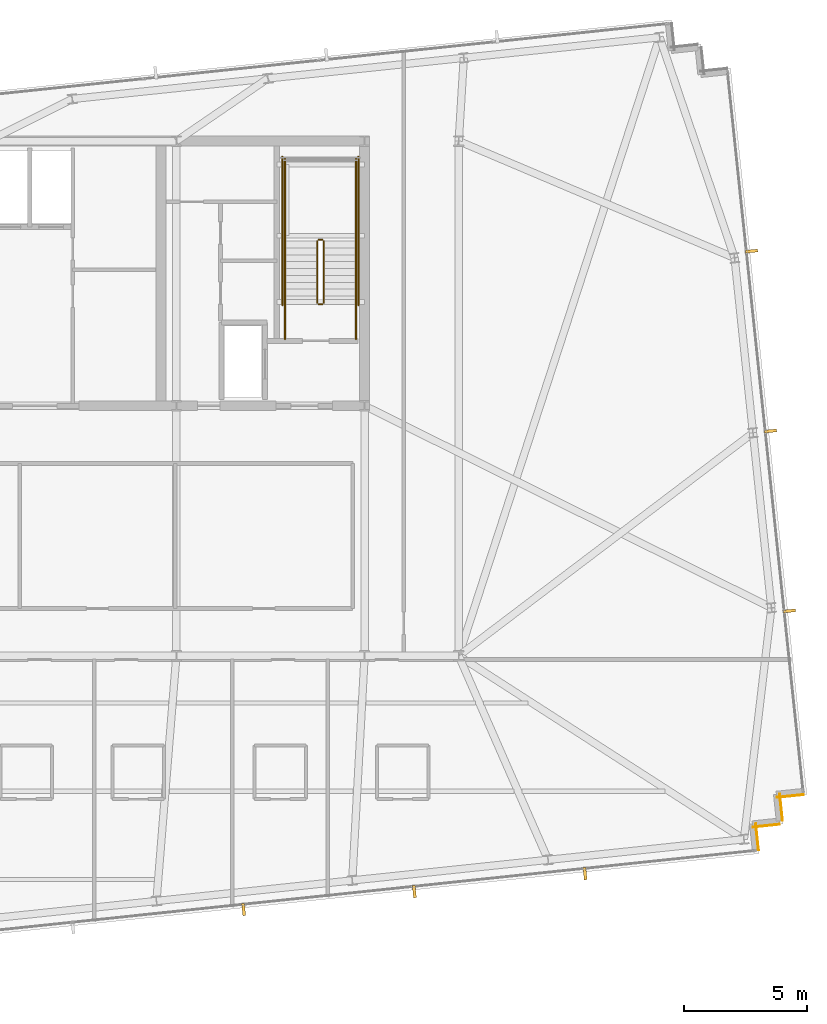
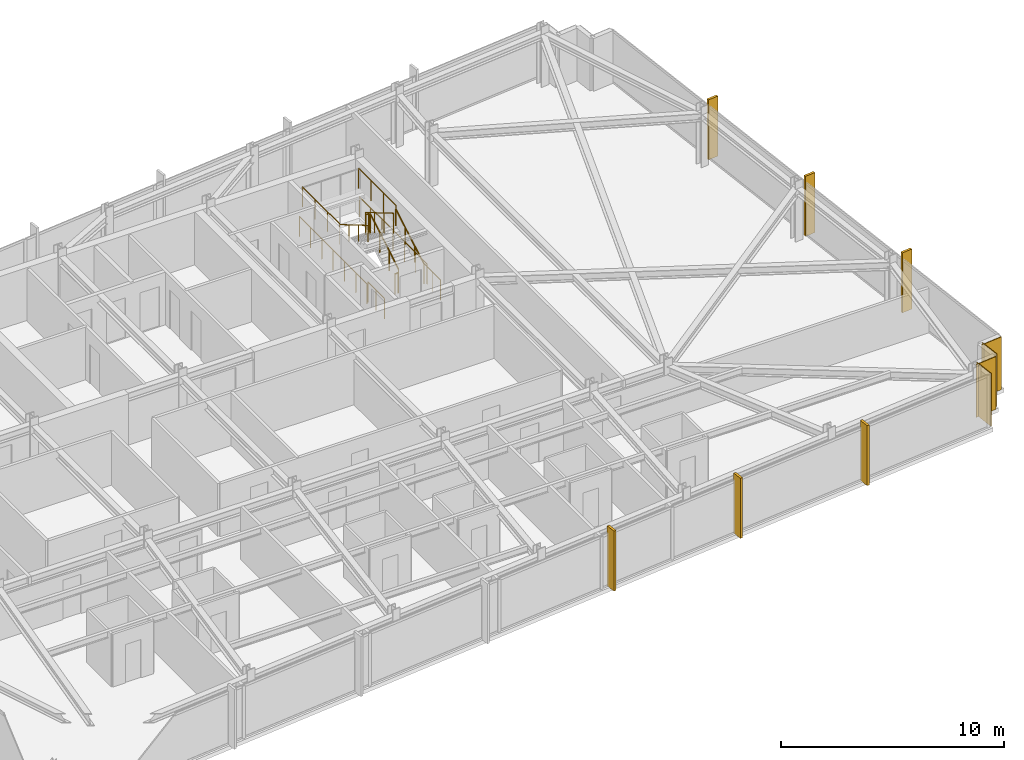
# One storey, part 32 of 33: 12 railings, 6 shading devices, 4 coverings.
"""IFC4 building model written with IfcOpenShell, lengths in metres."""

from ifc_helpers import new_model, si_unit, direction, frame, frame_2d, origin, origin_2d, place, context, subcontext, project, spatial, rectangle, circle, extrude, material, layer, layer_set, type_object, element, save


model = new_model("IFC4")

# Units and contexts
model_context = context("Model", 3, precision=1e-05, world=origin(), true_north=direction((0.0, 1.0)))
body_context = subcontext(model_context, "Body", "Model", "MODEL_VIEW")
ifc_project = project(units=[si_unit("LENGTHUNIT", "METRE"), si_unit("AREAUNIT", "SQUARE_METRE"), si_unit("VOLUMEUNIT", "CUBIC_METRE"), si_unit("PLANEANGLEUNIT", "RADIAN"), si_unit("MASSUNIT", "GRAM", prefix="KILO")], contexts=[model_context])

# Site, building, storey
site_placement = place(None, origin())
site = spatial("IfcSite", under=ifc_project, at=site_placement, CompositionType="ELEMENT")
building_placement = place(site_placement, origin())
building = spatial("IfcBuilding", under=site, at=building_placement, Name="Yelkora Congress Tower", CompositionType="ELEMENT")
storey_placement = place(building_placement, frame((0.0, 0.0, 244.10009765625)))
storey = spatial("IfcBuildingStorey", under=building, at=storey_placement, Name="L68", CompositionType="ELEMENT", Elevation=244.10009765625)

# Coverings
ifc_material_1 = material(Name="Anatolian bush-hammered limestone", Category="masonry")
ifc_layer_1 = layer(ifc_material_1, 0.0400390625)
ifc_layer_set_1 = layer_set([ifc_layer_1], Name="Anatolian bush-hammered limestone")
covering_type = type_object("IfcCoveringType", Name="COV-CLAD-SPANDREL-40", PredefinedType="CLADDING", material=ifc_layer_set_1)
for number, where, z_axis, x_axis, name in (
    (1, (71.668212890625, 19.535888671875, 0.0), (0.0, 0.0, 1.0), (-0.994544300928, -0.104315068386, 0.0), "L68 Anatolian Limestone Cladding EW-L68-SR16"),
    (2, (70.6943359375, 19.569580078125, 0.0), (0.0, 0.0, 1.0), (0.104534592565, -0.994521251134, 0.0), "L68 Anatolian Limestone Cladding EW-L68-SR17"),
    (3, (70.689208984375, 18.3271484375, 0.0), (0.0, 0.0, 1.0), (-0.994521251134, -0.104534592565, 0.0), "L68 Anatolian Limestone Cladding EW-L68-SR18"),
    (4, (69.71533203125, 18.360595703125, 0.0), (0.0, 0.0, 1.0), (0.104534592565, -0.994521251134, 0.0), "L68 Anatolian Limestone Cladding EW-L68-SR19"),
):
    element("IfcCovering", number, at=place(storey_placement, frame(where, z_axis=z_axis, x_axis=x_axis)), inside=storey, type_object=covering_type, Name=name, PredefinedType="CLADDING", context=body_context, shape_type="SweptSolid", body=[
        extrude(rectangle(XDim=1.10009765625, YDim=0.0400390625, at=frame_2d((0.550048828125, 0.0))), origin(), (0.0, 0.0, 1.0), 2.8798828125),
    ])

# Railings
ifc_material_2 = material(Name="Painted galvanised steel stair well guard with vertical infill", Category="steel")
ifc_layer_2 = layer(ifc_material_2, 0.06005859375)
ifc_layer_set_2 = layer_set([ifc_layer_2], Name="Painted galvanised steel stair well guard with vertical infill")
railing_type_1 = type_object("IfcRailingType", Name="RAIL-STAIR-GUARD-1120", PredefinedType="GUARDRAIL", material=ifc_layer_set_2)
railing_1_placement = place(storey_placement, frame((52.090087890625, 39.60009765625, 0.164794921875)))
element("IfcRailing", 5, at=railing_1_placement, inside=storey, type_object=railing_type_1, Name="ST-02 L68 Stair Well Guardrail 1", PredefinedType="GUARDRAIL", context=body_context, shape_type="SweptSolid", body=[
    extrude(circle(Radius=0.02392578125, at=origin_2d()), frame((0.0, 0.0, 1.09619140625), z_axis=(0.0, 0.86152411907, 0.507716645641), x_axis=(-1.0, 0.0, 0.0)), (0.0, 0.0, 1.0), 2.925048828125),
    extrude(circle(Radius=0.02099609375, at=origin_2d()), origin(), (0.0, 0.0, 1.0), 1.072021484375),
    extrude(circle(Radius=0.02099609375, at=origin_2d()), frame((0.0, 0.840087890625, 0.4951171875)), (0.0, 0.0, 1.0), 1.072021484375),
    extrude(circle(Radius=0.02099609375, at=origin_2d()), frame((0.0, 1.679931640625, 0.989990234375)), (0.0, 0.0, 1.0), 1.072021484375),
    extrude(circle(Radius=0.02099609375, at=origin_2d()), frame((0.0, 2.52001953125, 1.485107421875)), (0.0, 0.0, 1.0), 1.072021484375),
])
railing_2_placement = place(storey_placement, frame((52.0400390625, 42.169921875, 1.64990234375)))
element("IfcRailing", 6, at=railing_2_placement, inside=storey, type_object=railing_type_1, Name="ST-02 L68 Stair Well Guardrail 2", PredefinedType="GUARDRAIL", context=body_context, shape_type="SweptSolid", body=[
    extrude(circle(Radius=0.02392578125, at=origin_2d()), frame((0.0, 0.0, 1.09619140625), z_axis=(-1.0, 0.0, 0.0), x_axis=(0.0, -1.0, 0.0)), (0.0, 0.0, 1.0), 0.16015625),
    extrude(circle(Radius=0.02099609375, at=origin_2d()), origin(), (0.0, 0.0, 1.0), 1.072021484375),
    extrude(circle(Radius=0.02099609375, at=origin_2d()), frame((-0.16015625, 0.0, 0.0)), (0.0, 0.0, 1.0), 1.072021484375),
])
for number, where, name in (
    (7, (53.409912109375, 42.1201171875, 1.64990234375), "ST-02 L68 Stair Well Guardrail 3"),
    (8, (50.510009765625, 42.1201171875, 1.64990234375), "ST-02 L68 Stair Well Guardrail 4"),
):
    element("IfcRailing", number, at=place(storey_placement, frame(where)), inside=storey, type_object=railing_type_1, Name=name, PredefinedType="GUARDRAIL", context=body_context, shape_type="SweptSolid", body=[
        extrude(circle(Radius=0.02392578125, at=origin_2d()), frame((0.0, 0.0, 1.09619140625), z_axis=(0.0, 1.0, 0.0), x_axis=(-1.0, 0.0, 0.0)), (0.0, 0.0, 1.0), 3.349853515625),
        extrude(circle(Radius=0.02099609375, at=origin_2d()), origin(), (0.0, 0.0, 1.0), 1.072021484375),
        extrude(circle(Radius=0.02099609375, at=origin_2d()), frame((0.0, 1.11669921875, 0.0)), (0.0, 0.0, 1.0), 1.072021484375),
        extrude(circle(Radius=0.02099609375, at=origin_2d()), frame((0.0, 2.233154296875, 0.0)), (0.0, 0.0, 1.0), 1.072021484375),
        extrude(circle(Radius=0.02099609375, at=origin_2d()), frame((0.0, 3.349853515625, 0.0)), (0.0, 0.0, 1.0), 1.072021484375),
    ])
railing_3_placement = place(storey_placement, frame((51.830078125, 42.1201171875, 1.81494140625)))
element("IfcRailing", 9, at=railing_3_placement, inside=storey, type_object=railing_type_1, Name="ST-02 L68 Stair Well Guardrail 6", PredefinedType="GUARDRAIL", context=body_context, shape_type="SweptSolid", body=[
    extrude(circle(Radius=0.02392578125, at=origin_2d()), frame((0.0, 0.0, 1.09619140625), z_axis=(0.0, -0.861560626758, 0.507654692109), x_axis=(1.0, 0.0, 0.0)), (0.0, 0.0, 1.0), 2.925048828125),
    extrude(circle(Radius=0.02099609375, at=origin_2d()), origin(), (0.0, 0.0, 1.0), 1.072021484375),
    extrude(circle(Radius=0.02099609375, at=origin_2d()), frame((0.0, -0.840087890625, 0.494873046875)), (0.0, 0.0, 1.0), 1.072021484375),
    extrude(circle(Radius=0.02099609375, at=origin_2d()), frame((0.0, -1.679931640625, 0.989990234375)), (0.0, 0.0, 1.0), 1.072021484375),
    extrude(circle(Radius=0.02099609375, at=origin_2d()), frame((0.0, -2.52001953125, 1.48486328125)), (0.0, 0.0, 1.0), 1.072021484375),
])
railing_4_placement = place(storey_placement, frame((52.0400390625, 39.550048828125, 0.0)))
element("IfcRailing", 10, at=railing_4_placement, inside=storey, type_object=railing_type_1, Name="ST-02 L68 Stair Well Guardrail 7", PredefinedType="GUARDRAIL", context=body_context, shape_type="SweptSolid", body=[
    extrude(circle(Radius=0.02392578125, at=origin_2d()), frame((0.0, 0.0, 1.09619140625), z_axis=(-1.0, 0.0, 0.0), x_axis=(0.0, -1.0, 0.0)), (0.0, 0.0, 1.0), 0.16015625),
    extrude(circle(Radius=0.02099609375, at=origin_2d()), origin(), (0.0, 0.0, 1.0), 1.072021484375),
    extrude(circle(Radius=0.02099609375, at=origin_2d()), frame((-0.16015625, 0.0, 0.0)), (0.0, 0.0, 1.0), 1.072021484375),
])
for number, where, name in (
    (11, (53.409912109375, 38.1201171875, 0.0), "ST-02 L68 Stair Well Guardrail 8"),
    (12, (50.510009765625, 38.1201171875, 0.0), "ST-02 L68 Stair Well Guardrail 9"),
):
    element("IfcRailing", number, at=place(storey_placement, frame(where)), inside=storey, type_object=railing_type_1, Name=name, PredefinedType="GUARDRAIL", context=body_context, shape_type="SweptSolid", body=[
        extrude(circle(Radius=0.02392578125, at=origin_2d()), frame((0.0, 0.0, 1.09619140625), z_axis=(0.0, 1.0, 0.0), x_axis=(-1.0, 0.0, 0.0)), (0.0, 0.0, 1.0), 1.47998046875),
        extrude(circle(Radius=0.02099609375, at=origin_2d()), origin(), (0.0, 0.0, 1.0), 1.072021484375),
        extrude(circle(Radius=0.02099609375, at=origin_2d()), frame((0.0, 0.739990234375, 0.0)), (0.0, 0.0, 1.0), 1.072021484375),
        extrude(circle(Radius=0.02099609375, at=origin_2d()), frame((0.0, 1.47998046875, 0.0)), (0.0, 0.0, 1.0), 1.072021484375),
    ])
for number, where, name in (
    (13, (53.510009765625, 39.5, 0.0), "ST-02 L68 Stair Well Guardrail 10"),
    (14, (50.409912109375, 39.5, 0.0), "ST-02 L68 Stair Well Guardrail 11"),
):
    element("IfcRailing", number, at=place(storey_placement, frame(where)), inside=storey, type_object=railing_type_1, Name=name, PredefinedType="GUARDRAIL", context=body_context, shape_type="SweptSolid", body=[
        extrude(circle(Radius=0.02392578125, at=origin_2d()), frame((0.0, 0.0, 1.09619140625), z_axis=(0.0, 1.0, 0.0), x_axis=(-1.0, 0.0, 0.0)), (0.0, 0.0, 1.0), 6.070068359375),
        extrude(circle(Radius=0.02099609375, at=origin_2d()), origin(), (0.0, 0.0, 1.0), 1.072021484375),
        extrude(circle(Radius=0.02099609375, at=origin_2d()), frame((0.0, 1.01171875, 0.0)), (0.0, 0.0, 1.0), 1.072021484375),
        extrude(circle(Radius=0.02099609375, at=origin_2d()), frame((0.0, 2.0234375, 0.0)), (0.0, 0.0, 1.0), 1.072021484375),
        extrude(circle(Radius=0.02099609375, at=origin_2d()), frame((0.0, 3.03515625, 0.0)), (0.0, 0.0, 1.0), 1.072021484375),
        extrude(circle(Radius=0.02099609375, at=origin_2d()), frame((0.0, 4.046630859375, 0.0)), (0.0, 0.0, 1.0), 1.072021484375),
        extrude(circle(Radius=0.02099609375, at=origin_2d()), frame((0.0, 5.058349609375, 0.0)), (0.0, 0.0, 1.0), 1.072021484375),
        extrude(circle(Radius=0.02099609375, at=origin_2d()), frame((0.0, 6.070068359375, 0.0)), (0.0, 0.0, 1.0), 1.072021484375),
    ])
ifc_material_3 = material(Name="Brushed stainless steel tubular handrail", Category="steel")
ifc_layer_3 = layer(ifc_material_3, 0.050048828125)
ifc_layer_set_3 = layer_set([ifc_layer_3], Name="Brushed stainless steel tubular handrail")
railing_type_2 = type_object("IfcRailingType", Name="RAIL-STAIR-HAND-920", PredefinedType="HANDRAIL", material=ifc_layer_set_3)
railing_5_placement = place(storey_placement, frame((53.409912109375, 39.60009765625, 0.164794921875)))
element("IfcRailing", 15, at=railing_5_placement, inside=storey, type_object=railing_type_2, Name="ST-02 L68 Pitch Handrail 1", PredefinedType="HANDRAIL", context=body_context, shape_type="SweptSolid", body=[
    extrude(circle(Radius=0.02392578125, at=origin_2d()), frame((0.0, 0.0, 0.89599609375), z_axis=(0.0, 0.86152411907, 0.507716645641), x_axis=(-1.0, 0.0, 0.0)), (0.0, 0.0, 1.0), 2.925048828125),
    extrude(circle(Radius=0.02099609375, at=origin_2d()), origin(), (0.0, 0.0, 1.0), 0.871826171875),
    extrude(circle(Radius=0.02099609375, at=origin_2d()), frame((0.0, 0.840087890625, 0.4951171875)), (0.0, 0.0, 1.0), 0.871826171875),
    extrude(circle(Radius=0.02099609375, at=origin_2d()), frame((0.0, 1.679931640625, 0.989990234375)), (0.0, 0.0, 1.0), 0.871826171875),
    extrude(circle(Radius=0.02099609375, at=origin_2d()), frame((0.0, 2.52001953125, 1.485107421875)), (0.0, 0.0, 1.0), 0.871826171875),
])
railing_6_placement = place(storey_placement, frame((50.510009765625, 42.1201171875, 1.81494140625)))
element("IfcRailing", 16, at=railing_6_placement, inside=storey, type_object=railing_type_2, Name="ST-02 L68 Pitch Handrail 2", PredefinedType="HANDRAIL", context=body_context, shape_type="SweptSolid", body=[
    extrude(circle(Radius=0.02392578125, at=origin_2d()), frame((0.0, 0.0, 0.89599609375), z_axis=(0.0, -0.861560626758, 0.507654692109), x_axis=(1.0, 0.0, 0.0)), (0.0, 0.0, 1.0), 2.925048828125),
    extrude(circle(Radius=0.02099609375, at=origin_2d()), origin(), (0.0, 0.0, 1.0), 0.871826171875),
    extrude(circle(Radius=0.02099609375, at=origin_2d()), frame((0.0, -0.840087890625, 0.494873046875)), (0.0, 0.0, 1.0), 0.871826171875),
    extrude(circle(Radius=0.02099609375, at=origin_2d()), frame((0.0, -1.679931640625, 0.989990234375)), (0.0, 0.0, 1.0), 0.871826171875),
    extrude(circle(Radius=0.02099609375, at=origin_2d()), frame((0.0, -2.52001953125, 1.48486328125)), (0.0, 0.0, 1.0), 0.871826171875),
])

# Shading devices
ifc_material_4 = material(Name="Champagne anodised aluminium", Category="aluminium")
ifc_layer_4 = layer(ifc_material_4, 3.300048828125)
ifc_layer_set_4 = layer_set([ifc_layer_4], Name="Champagne anodised aluminium")
shading_device_type = type_object("IfcShadingDeviceType", Name="SHD-FIN-ALU-520", PredefinedType="USERDEFINED", material=ifc_layer_set_4)
for number, where, z_axis, x_axis, name in (
    (17, (69.538818359375, 41.7099609375, -0.0302734375), (0.0, 0.0, 1.0), (0.104528463268, -0.994521895368, 0.0), "L68 Vertical Anodised Solar Fin 15-1"),
    (18, (70.31005859375, 34.370361328125, -0.0302734375), (0.0, 0.0, 1.0), (0.104528463268, -0.994521895368, 0.0), "L68 Vertical Anodised Solar Fin 15-2"),
    (19, (71.08154296875, 27.03076171875, -0.0302734375), (0.0, 0.0, 1.0), (0.104528463268, -0.994521895368, 0.0), "L68 Vertical Anodised Solar Fin 15-3"),
    (20, (62.75244140625, 16.321533203125, -0.0302734375), (0.0, 0.0, 1.0), (-0.994521895368, -0.104528463268, 0.0), "L68 Vertical Anodised Solar Fin 20-1"),
    (21, (55.7880859375, 15.589599609375, -0.0302734375), (0.0, 0.0, 1.0), (-0.994521895368, -0.104528463268, 0.0), "L68 Vertical Anodised Solar Fin 20-2"),
    (22, (48.823486328125, 14.857421875, -0.0302734375), (0.0, 0.0, 1.0), (-0.994521895368, -0.104528463268, 0.0), "L68 Vertical Anodised Solar Fin 20-3"),
):
    element("IfcShadingDevice", number, at=place(storey_placement, frame(where, z_axis=z_axis, x_axis=x_axis)), inside=storey, type_object=shading_device_type, Name=name, ObjectType="FIN", PredefinedType="USERDEFINED", context=body_context, shape_type="SweptSolid", body=[
        extrude(rectangle(XDim=0.1201171875, YDim=0.52001953125, at=origin_2d()), origin(), (0.0, 0.0, 1.0), 3.280029296875),
    ])

save(model, "model.ifc")
